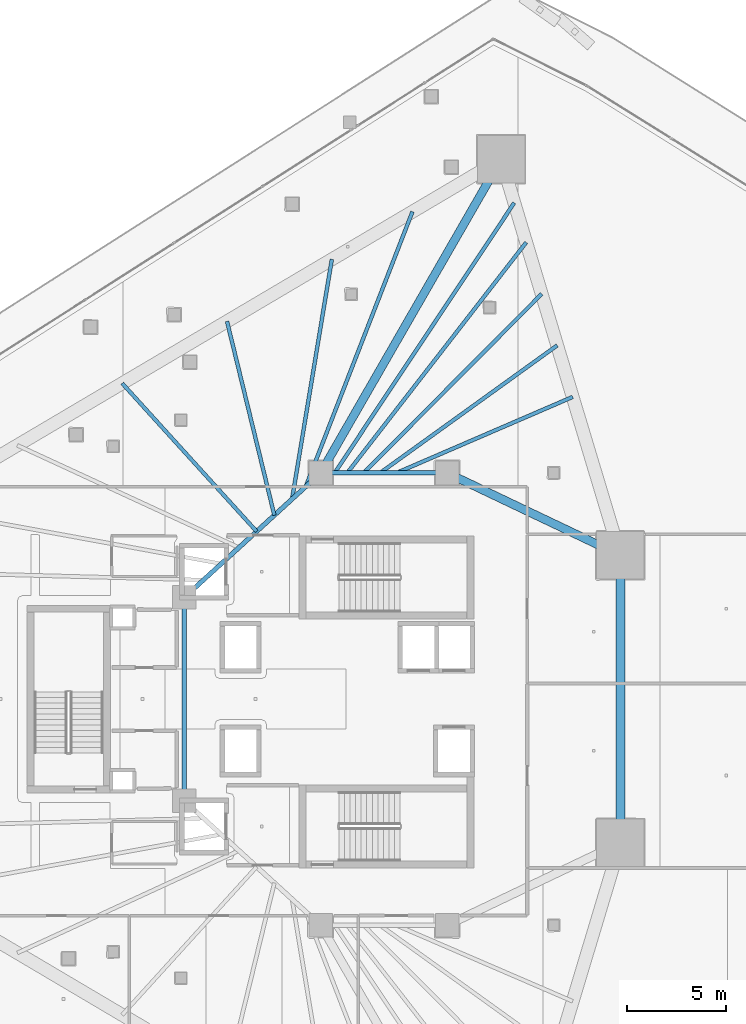
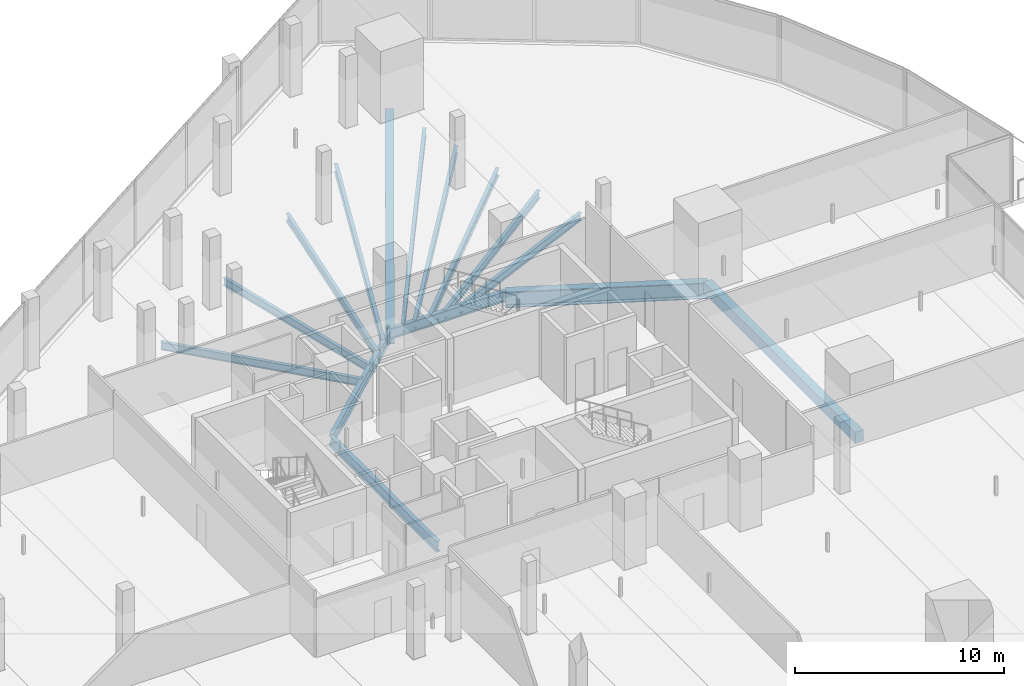
# One storey, part 19 of 44: 15 beams.
"""IFC4 building model written with IfcOpenShell, lengths in metres."""

from ifc_helpers import new_model, si_unit, direction, frame, origin, origin_2d, place, context, subcontext, project, spatial, rectangle, i_section, extrude, material, material_profile, profile_set, type_object, element, save


model = new_model("IFC4")

# Units and contexts
model_context = context("Model", 3, precision=1e-05, world=origin(), true_north=direction((0.0, 1.0)))
body_context = subcontext(model_context, "Body", "Model", "MODEL_VIEW")
ifc_project = project(units=[si_unit("LENGTHUNIT", "METRE"), si_unit("AREAUNIT", "SQUARE_METRE"), si_unit("VOLUMEUNIT", "CUBIC_METRE"), si_unit("PLANEANGLEUNIT", "RADIAN"), si_unit("MASSUNIT", "GRAM", prefix="KILO")], contexts=[model_context])

# Site, building, storey
site_placement = place(None, origin())
site = spatial("IfcSite", under=ifc_project, at=site_placement, CompositionType="ELEMENT")
building_placement = place(site_placement, origin())
building = spatial("IfcBuilding", under=site, at=building_placement, Name="Qorvath Tower", CompositionType="ELEMENT")
storey_placement = place(building_placement, frame((0.0, 0.0, 40.800048828125)))
storey = spatial("IfcBuildingStorey", under=building, at=storey_placement, Name="L08", CompositionType="ELEMENT", Elevation=40.800048828125)

# Beams
ifc_material_1 = material(Name="Steel ASTM A992 Grade 50", Category="steel")
ifc_material_profile_1 = material_profile(ifc_material_1, i_section(OverallWidth=0.422119140625, OverallDepth=0.93310546875, WebThickness=0.021240234375, FlangeThickness=0.039794921875, FilletRadius=0.02392578125, at=origin_2d()), Name="W36x262")
ifc_profile_set_1 = profile_set([ifc_material_profile_1], Name="Steel ASTM A992 Grade 50")
beam_type_1 = type_object("IfcBeamType", Name="BM-FG1", PredefinedType="BEAM", material=ifc_profile_set_1)
beam_1_placement = place(storey_placement, frame((-23.60009765625, 11.449951171875, -0.74658203125), z_axis=(0.498645367714, 0.866806089767, 0.0), x_axis=(-0.866806089767, 0.498645367714, 0.0)))
element("IfcBeam", 1, at=beam_1_placement, inside=storey, type_object=beam_type_1, Name="Radial Floor Girder CC1-MC6 L08", PredefinedType="BEAM", context=body_context, shape_type="SweptSolid", body=[
    extrude(i_section(OverallWidth=0.422119140625, OverallDepth=0.93310546875, WebThickness=0.021240234375, FlangeThickness=0.039794921875, FilletRadius=0.02392578125, at=origin_2d()), origin(), (0.0, 0.0, 1.0), 18.321044921875),
])
beam_2_placement = place(storey_placement, frame((-17.199951171875, 11.449951171875, -0.74658203125), z_axis=(0.902955751435, -0.429733534821, 0.0), x_axis=(0.429733534821, 0.902955751435, 0.0)))
element("IfcBeam", 2, at=beam_2_placement, inside=storey, type_object=beam_type_1, Name="Radial Floor Girder CC2-MC5 L08", PredefinedType="BEAM", context=body_context, shape_type="SweptSolid", body=[
    extrude(i_section(OverallWidth=0.422119140625, OverallDepth=0.93310546875, WebThickness=0.021240234375, FlangeThickness=0.039794921875, FilletRadius=0.02392578125, at=origin_2d()), origin(), (0.0, 0.0, 1.0), 9.7119140625),
])
ifc_material_2 = material(Name="Steel ASTM A992 Grade 50", Category="steel")
ifc_material_profile_2 = material_profile(ifc_material_2, i_section(OverallWidth=0.22998046875, OverallDepth=0.616943359375, WebThickness=0.01318359375, FlangeThickness=0.022216796875, FilletRadius=0.014892578125, at=origin_2d()), Name="W24x94")
ifc_profile_set_2 = profile_set([ifc_material_profile_2], Name="Steel ASTM A992 Grade 50")
beam_type_2 = type_object("IfcBeamType", Name="BM-FG6", PredefinedType="BEAM", material=ifc_profile_set_2)
beam_3_placement = place(storey_placement, frame((-23.60009765625, 11.449951171875, -0.588623046875), z_axis=(1.0, 0.0, 0.0), x_axis=(0.0, 1.0, 0.0)))
element("IfcBeam", 3, at=beam_3_placement, inside=storey, type_object=beam_type_2, Name="Core Ring Girder CC1-CC2 L08", PredefinedType="BEAM", context=body_context, shape_type="SweptSolid", body=[
    extrude(i_section(OverallWidth=0.22998046875, OverallDepth=0.616943359375, WebThickness=0.01318359375, FlangeThickness=0.022216796875, FilletRadius=0.014892578125, at=origin_2d()), origin(), (0.0, 0.0, 1.0), 6.400146484375),
])
beam_4_placement = place(storey_placement, frame((-30.5, -5.14990234375, -0.588623046875), z_axis=(0.0, 1.0, 0.0), x_axis=(-1.0, 0.0, 0.0)))
element("IfcBeam", 4, at=beam_4_placement, inside=storey, type_object=beam_type_2, Name="Core Ring Girder CC6-CC5 L08", PredefinedType="BEAM", context=body_context, shape_type="SweptSolid", body=[
    extrude(i_section(OverallWidth=0.22998046875, OverallDepth=0.616943359375, WebThickness=0.01318359375, FlangeThickness=0.022216796875, FilletRadius=0.014892578125, at=origin_2d()), origin(), (0.0, 0.0, 1.0), 10.2998046875),
])
beam_5_placement = place(storey_placement, frame((-30.5, 5.14990234375, -0.588623046875), z_axis=(0.73847813985, 0.6742774184, 0.0), x_axis=(-0.6742774184, 0.73847813985, 0.0)))
element("IfcBeam", 5, at=beam_5_placement, inside=storey, type_object=beam_type_2, Name="Core Ring Girder CC5-CC1 L08", PredefinedType="BEAM", context=body_context, shape_type="SweptSolid", body=[
    extrude(i_section(OverallWidth=0.22998046875, OverallDepth=0.616943359375, WebThickness=0.01318359375, FlangeThickness=0.022216796875, FilletRadius=0.014892578125, at=origin_2d()), origin(), (0.0, 0.0, 1.0), 9.343505859375),
])
ifc_material_3 = material(Name="Steel ASTM A992 Grade 50", Category="steel")
ifc_material_profile_3 = material_profile(ifc_material_3, i_section(OverallWidth=0.18994140625, OverallDepth=0.45703125, WebThickness=0.009033203125, FlangeThickness=0.014404296875, FilletRadius=0.011962890625, at=origin_2d()), Name="W18x50")
ifc_profile_set_3 = profile_set([ifc_material_profile_3], Name="Steel ASTM A992 Grade 50")
beam_type_3 = type_object("IfcBeamType", Name="BM-FJ2", PredefinedType="JOIST", material=ifc_profile_set_3)
beam_6_placement = place(storey_placement, frame((-19.760009765625, 11.449951171875, -0.508544921875), z_axis=(0.918135537923, 0.396266493667, 0.0), x_axis=(-0.396266493667, 0.918135537923, 0.0)))
element("IfcBeam", 6, at=beam_6_placement, inside=storey, type_object=beam_type_3, Name="Composite Floor Joist NE3 L08", PredefinedType="JOIST", context=body_context, shape_type="SweptSolid", body=[
    extrude(i_section(OverallWidth=0.18994140625, OverallDepth=0.45703125, WebThickness=0.009033203125, FlangeThickness=0.014404296875, FilletRadius=0.011962890625, at=origin_2d()), origin(), (0.0, 0.0, 1.0), 9.7109375),
])
beam_7_placement = place(storey_placement, frame((-20.592041015625, 11.449951171875, -0.508544921875), z_axis=(0.811469358397, 0.584394969505, 0.0), x_axis=(-0.584394969505, 0.811469358397, 0.0)))
element("IfcBeam", 7, at=beam_7_placement, inside=storey, type_object=beam_type_3, Name="Composite Floor Joist NE4 L08", PredefinedType="JOIST", context=body_context, shape_type="SweptSolid", body=[
    extrude(i_section(OverallWidth=0.18994140625, OverallDepth=0.45703125, WebThickness=0.009033203125, FlangeThickness=0.014404296875, FilletRadius=0.011962890625, at=origin_2d()), origin(), (0.0, 0.0, 1.0), 11.046142578125),
])
beam_8_placement = place(storey_placement, frame((-21.424072265625, 11.449951171875, -0.508544921875), z_axis=(0.705107654599, 0.709100271771, 0.0), x_axis=(-0.709100271771, 0.705107654599, 0.0)))
element("IfcBeam", 8, at=beam_8_placement, inside=storey, type_object=beam_type_3, Name="Composite Floor Joist NE5 L08", PredefinedType="JOIST", context=body_context, shape_type="SweptSolid", body=[
    extrude(i_section(OverallWidth=0.18994140625, OverallDepth=0.45703125, WebThickness=0.009033203125, FlangeThickness=0.014404296875, FilletRadius=0.011962890625, at=origin_2d()), origin(), (0.0, 0.0, 1.0), 12.780029296875),
])
beam_9_placement = place(storey_placement, frame((-22.256103515625, 11.449951171875, -0.508544921875), z_axis=(0.613206963859, 0.789922286984, 0.0), x_axis=(-0.789922286984, 0.613206963859, 0.0)))
element("IfcBeam", 9, at=beam_9_placement, inside=storey, type_object=beam_type_3, Name="Composite Floor Joist NE6 L08", PredefinedType="JOIST", context=body_context, shape_type="SweptSolid", body=[
    extrude(i_section(OverallWidth=0.18994140625, OverallDepth=0.45703125, WebThickness=0.009033203125, FlangeThickness=0.014404296875, FilletRadius=0.011962890625, at=origin_2d()), origin(), (0.0, 0.0, 1.0), 14.77294921875),
])
beam_10_placement = place(storey_placement, frame((-22.89599609375, 11.449951171875, -0.508544921875), z_axis=(0.553811384989, 0.83264214994, 0.0), x_axis=(-0.83264214994, 0.553811384989, 0.0)))
element("IfcBeam", 10, at=beam_10_placement, inside=storey, type_object=beam_type_3, Name="Composite Floor Joist NE7 L08", PredefinedType="JOIST", context=body_context, shape_type="SweptSolid", body=[
    extrude(i_section(OverallWidth=0.18994140625, OverallDepth=0.45703125, WebThickness=0.009033203125, FlangeThickness=0.014404296875, FilletRadius=0.011962890625, at=origin_2d()), origin(), (0.0, 0.0, 1.0), 16.42333984375),
])
beam_11_placement = place(storey_placement, frame((-26.843017578125, 8.489013671875, -0.508544921875), z_axis=(-0.672128980215, 0.740434084815, 0.0), x_axis=(-0.740434084815, -0.672128980215, 0.0)))
element("IfcBeam", 11, at=beam_11_placement, inside=storey, type_object=beam_type_3, Name="Composite Floor Joist NW4 L08", PredefinedType="JOIST", context=body_context, shape_type="SweptSolid", body=[
    extrude(i_section(OverallWidth=0.18994140625, OverallDepth=0.45703125, WebThickness=0.009033203125, FlangeThickness=0.014404296875, FilletRadius=0.011962890625, at=origin_2d()), origin(), (0.0, 0.0, 1.0), 10.1259765625),
])
beam_12_placement = place(storey_placement, frame((-25.946044921875, 9.30810546875, -0.508544921875), z_axis=(-0.237165308581, 0.97146930801, 0.0), x_axis=(-0.97146930801, -0.237165308581, 0.0)))
element("IfcBeam", 12, at=beam_12_placement, inside=storey, type_object=beam_type_3, Name="Composite Floor Joist NW5 L08", PredefinedType="JOIST", context=body_context, shape_type="SweptSolid", body=[
    extrude(i_section(OverallWidth=0.18994140625, OverallDepth=0.45703125, WebThickness=0.009033203125, FlangeThickness=0.014404296875, FilletRadius=0.011962890625, at=origin_2d()), origin(), (0.0, 0.0, 1.0), 10.104736328125),
])
beam_13_placement = place(storey_placement, frame((-25.049072265625, 10.126953125, -0.508544921875), z_axis=(0.163639384475, 0.98652022374, 0.0), x_axis=(-0.98652022374, 0.163639384475, 0.0)))
element("IfcBeam", 13, at=beam_13_placement, inside=storey, type_object=beam_type_3, Name="Composite Floor Joist NW6 L08", PredefinedType="JOIST", context=body_context, shape_type="SweptSolid", body=[
    extrude(i_section(OverallWidth=0.18994140625, OverallDepth=0.45703125, WebThickness=0.009033203125, FlangeThickness=0.014404296875, FilletRadius=0.011962890625, at=origin_2d()), origin(), (0.0, 0.0, 1.0), 12.301025390625),
])
beam_14_placement = place(storey_placement, frame((-24.35888671875, 10.757080078125, -0.508544921875), z_axis=(0.361964096586, 0.93219203643, 0.0), x_axis=(-0.93219203643, 0.361964096586, 0.0)))
element("IfcBeam", 14, at=beam_14_placement, inside=storey, type_object=beam_type_3, Name="Composite Floor Joist NW7 L08", PredefinedType="JOIST", context=body_context, shape_type="SweptSolid", body=[
    extrude(i_section(OverallWidth=0.18994140625, OverallDepth=0.45703125, WebThickness=0.009033203125, FlangeThickness=0.014404296875, FilletRadius=0.011962890625, at=origin_2d()), origin(), (0.0, 0.0, 1.0), 14.93115234375),
])
ifc_material_4 = material(Name="Concrete C45/55", Category="concrete")
ifc_material_profile_4 = material_profile(ifc_material_4, rectangle(XDim=0.449951171875, YDim=0.64990234375, at=origin_2d()), Name="RCB 650x450")
ifc_profile_set_4 = profile_set([ifc_material_profile_4], Name="Concrete C45/55")
beam_type_4 = type_object("IfcBeamType", Name="BM-RCB4", PredefinedType="LINTEL", material=ifc_profile_set_4)
beam_15_placement = place(storey_placement, frame((-8.430419921875, -7.2763671875, -0.60498046875), z_axis=(0.0, 1.0, 0.0), x_axis=(-1.0, 0.0, 0.0)))
element("IfcBeam", 15, at=beam_15_placement, inside=storey, type_object=beam_type_4, Name="Slot Portal Lintel Beam L08", PredefinedType="LINTEL", context=body_context, shape_type="SweptSolid", body=[
    extrude(rectangle(XDim=0.449951171875, YDim=0.64990234375, at=origin_2d()), origin(), (0.0, 0.0, 1.0), 14.552734375),
])

save(model, "model.ifc")
